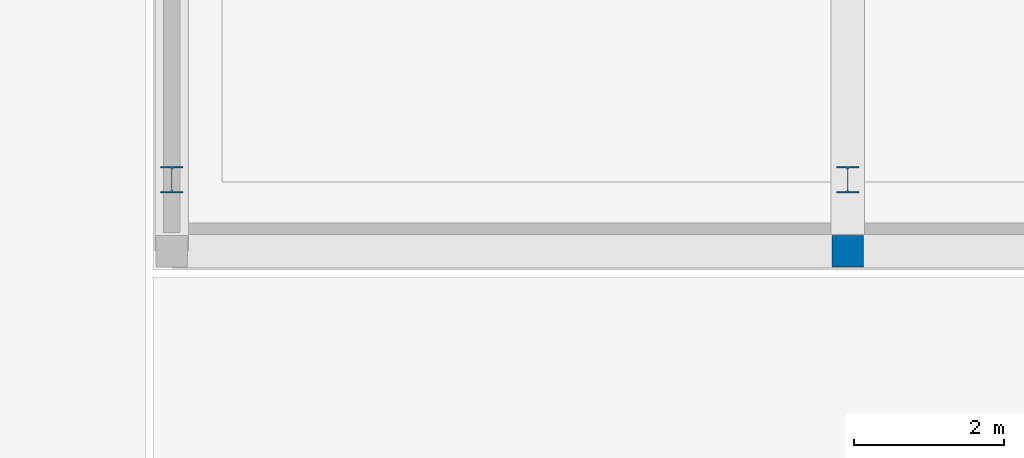
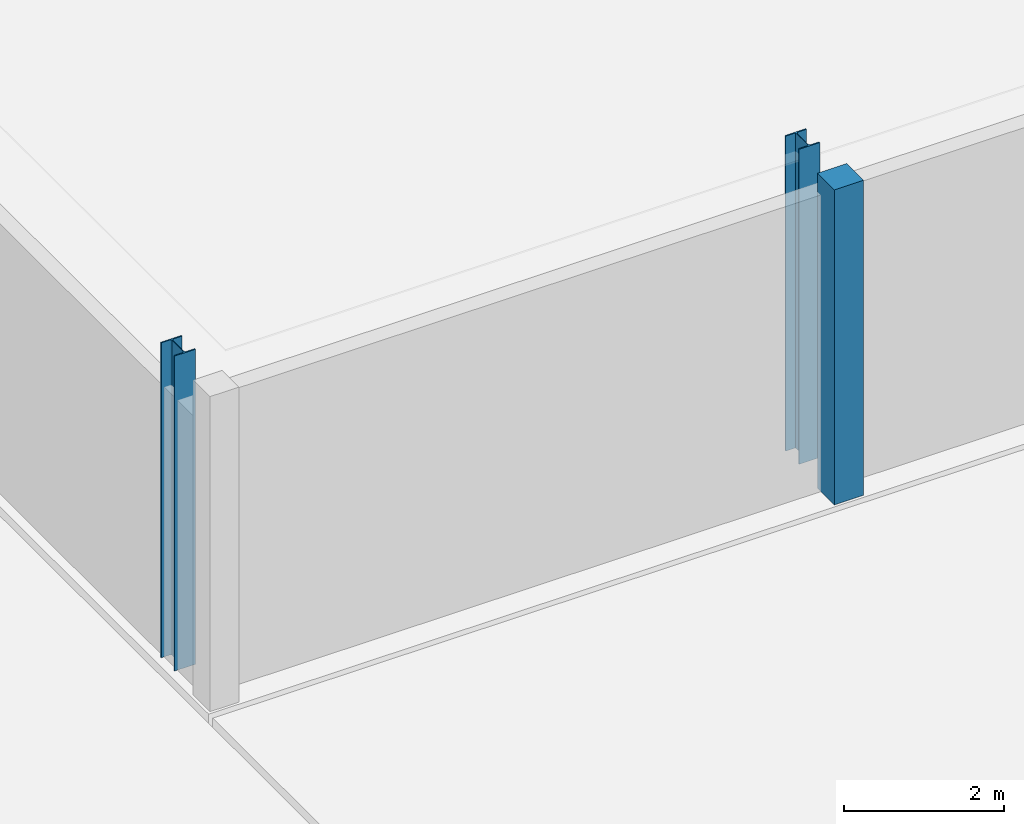
# One storey, part 3 of 151: 3 columns.
"""IFC4 building model written with IfcOpenShell, lengths in metres."""

from ifc_helpers import new_model, si_unit, direction, frame, origin, origin_2d, place, context, subcontext, project, spatial, rectangle, i_section, extrude, material, material_profile, profile_set, type_object, element, save


model = new_model("IFC4")

# Units and contexts
model_context = context("Model", 3, precision=1e-05, world=origin(), true_north=direction((0.0, 1.0)))
body_context = subcontext(model_context, "Body", "Model", "MODEL_VIEW")
ifc_project = project(units=[si_unit("LENGTHUNIT", "METRE"), si_unit("AREAUNIT", "SQUARE_METRE"), si_unit("VOLUMEUNIT", "CUBIC_METRE"), si_unit("PLANEANGLEUNIT", "RADIAN"), si_unit("MASSUNIT", "GRAM", prefix="KILO")], contexts=[model_context])

# Site, building, storey
site_placement = place(None, origin())
site = spatial("IfcSite", under=ifc_project, at=site_placement, CompositionType="ELEMENT")
building_placement = place(site_placement, origin())
building = spatial("IfcBuilding", under=site, at=building_placement, Name="Chiffa Square Polytechnic", CompositionType="ELEMENT")
storey_placement = place(building_placement, origin())
storey = spatial("IfcBuildingStorey", under=building, at=storey_placement, Name="L00", CompositionType="ELEMENT", Elevation=0.0)

# Columns
ifc_material_1 = material(Name="Glulam GL32c", Category="wood")
ifc_material_profile_1 = material_profile(ifc_material_1, rectangle(XDim=0.419921875, YDim=0.419921875, at=origin_2d()), Name="GL32c 420x420")
ifc_profile_set_1 = profile_set([ifc_material_profile_1], Name="Glulam GL32c")
column_type_1 = type_object("IfcColumnType", Name="COL-GL-420", PredefinedType="COLUMN", material=ifc_profile_set_1)
column_placement = place(storey_placement, frame((121.199951171875, 58.199951171875, 0.0), z_axis=(0.0, 0.0, 1.0), x_axis=(1.0, 0.0, 0.0)))
element("IfcColumn", 1, at=column_placement, inside=storey, type_object=column_type_1, Name="Column C-V2-L00-1212-0582", PredefinedType="COLUMN", context=body_context, shape_type="SweptSolid", body=[
    extrude(rectangle(XDim=0.419921875, YDim=0.419921875, at=origin_2d()), origin(), (0.0, 0.0, 1.0), 4.800048828125),
])
ifc_material_2 = material(Name="Steel S355", Category="steel")
ifc_material_profile_2 = material_profile(ifc_material_2, i_section(OverallWidth=0.300048828125, OverallDepth=0.35009765625, WebThickness=0.010009765625, FlangeThickness=0.017578125, FilletRadius=0.027099609375, at=origin_2d()), Name="HEA 360")
ifc_profile_set_2 = profile_set([ifc_material_profile_2], Name="Steel S355")
column_type_2 = type_object("IfcColumnType", Name="COL-STL-HEA360", PredefinedType="COLUMN", material=ifc_profile_set_2)
for number, where, z_axis, x_axis, name in (
    (2, (112.199951171875, 59.14990234375, 0.0), (0.0, 0.0, 1.0), (1.0, 0.0, 0.0), "Crane stanchion column C-V2-CRN-L00-112-S"),
    (3, (121.199951171875, 59.14990234375, 0.0), (0.0, 0.0, 1.0), (1.0, 0.0, 0.0), "Crane stanchion column C-V2-CRN-L00-121-S"),
):
    element("IfcColumn", number, at=place(storey_placement, frame(where, z_axis=z_axis, x_axis=x_axis)), inside=storey, type_object=column_type_2, Name=name, PredefinedType="COLUMN", context=body_context, shape_type="SweptSolid", body=[
        extrude(i_section(OverallWidth=0.300048828125, OverallDepth=0.35009765625, WebThickness=0.010009765625, FlangeThickness=0.017578125, FilletRadius=0.027099609375, at=origin_2d()), origin(), (0.0, 0.0, 1.0), 4.800048828125),
    ])

save(model, "model.ifc")
